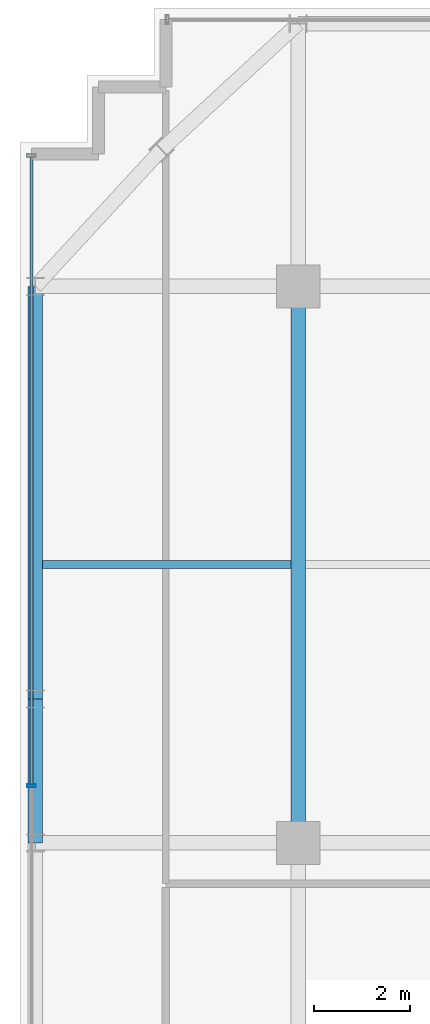
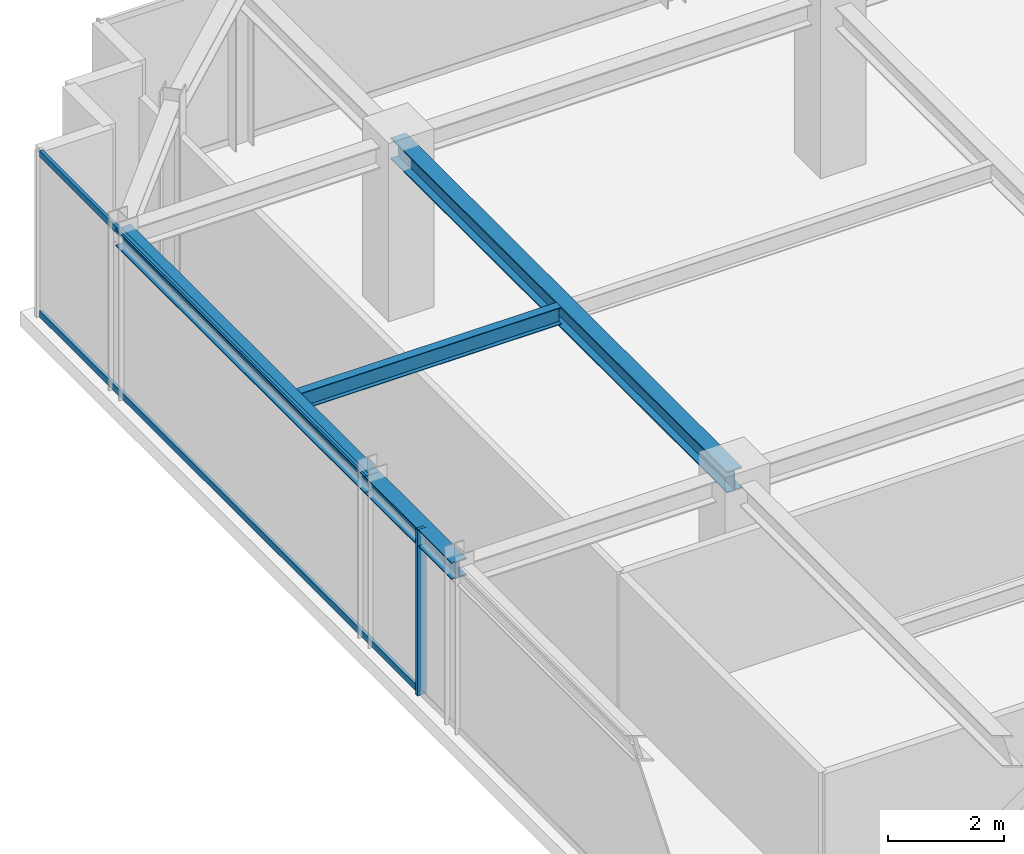
# One storey, part 15 of 33: 4 beams, 3 members, 1 element without a shape of its own.
"""IFC4 building model written with IfcOpenShell, lengths in metres."""

import ifcopenshell
import ifcopenshell.guid

model = None  # the IFC model being written
_history = None  # IfcOwnerHistory: only IFC2X3 demands one
_inside = {}  # id of a spatial element -> (the spatial element, [elements in it])
_under = {}  # id of a project, library or spatial element -> (it, [spatial elements below it])
_declared = {}  # id of a project -> (the project, [libraries it declares])
_typed = {}  # id of a type object -> (the type object, [elements of that type])
_made_of = {}  # id of a material, layer set ... -> (it, [elements and type objects made of it])


def new_model(schema):
    """Start an empty IFC model of exactly this schema.

    Asked for "IFC4X3", IfcOpenShell would pick the latest addendum, in which some entities
    have other attributes; the version numbers below select the first issue.
    IFC2X3 requires an IfcOwnerHistory on every rooted entity: one is made here for all.
    """
    global model, _history
    if schema == "IFC4X3":
        model = ifcopenshell.file(schema_version=(4, 3, 0, 0))
    else:
        model = ifcopenshell.file(schema=schema)
    _inside.clear()
    _under.clear()
    _declared.clear()
    _typed.clear()
    _made_of.clear()
    _history = None
    if model.schema == "IFC2X3":
        org = make("IfcOrganization", Name="unknown")
        user = make(
            "IfcPersonAndOrganization",
            ThePerson=make("IfcPerson", FamilyName="unknown"),
            TheOrganization=org,
        )
        app = make(
            "IfcApplication",
            ApplicationDeveloper=org,
            Version="unknown",
            ApplicationFullName="unknown",
            ApplicationIdentifier="unknown",
        )
        _history = make(
            "IfcOwnerHistory",
            OwningUser=user,
            OwningApplication=app,
            ChangeAction="ADDED",
            CreationDate=0,
        )
    return model


def make(cls, **values):
    """One entity of the class cls with the attributes given. An attribute that is None is left unset."""
    return model.create_entity(
        cls, **{name: value for name, value in values.items() if value is not None}
    )


def rooted(cls, **values):
    """An entity with a GlobalId (a new one), such as an element, a storey or a relation."""
    return make(cls, GlobalId=ifcopenshell.guid.new(), OwnerHistory=_history, **values)


def si_unit(unit_type, name, prefix=None):
    """IfcSIUnit, for example si_unit("LENGTHUNIT", "METRE", prefix="MILLI")."""
    return make("IfcSIUnit", UnitType=unit_type, Prefix=prefix, Name=name)


def assignment(units):
    """IfcUnitAssignment: the units of a project."""
    return None if units is None else make("IfcUnitAssignment", Units=units)


def point(xyz):
    """IfcCartesianPoint."""
    return None if xyz is None else make("IfcCartesianPoint", Coordinates=xyz)


def direction(xyz):
    """IfcDirection."""
    return None if xyz is None else make("IfcDirection", DirectionRatios=xyz)


def frame(location, z_axis=None, x_axis=None):
    """IfcAxis2Placement3D, a coordinate frame: its origin and axes. An axis left out is left unset."""
    return make(
        "IfcAxis2Placement3D",
        Location=point(location),
        Axis=direction(z_axis),
        RefDirection=direction(x_axis),
    )


def frame_2d(location, x_axis=None):
    """IfcAxis2Placement2D, a coordinate frame in the plane: its origin and x axis."""
    return make(
        "IfcAxis2Placement2D", Location=point(location), RefDirection=direction(x_axis)
    )


def origin():
    """The frame at (0, 0, 0) with its axes left unset."""
    return frame((0.0, 0.0, 0.0))


def origin_2d():
    """The frame at (0, 0) in the plane with its x axis left unset."""
    return frame_2d((0.0, 0.0))


def place(relative_to, where):
    """IfcLocalPlacement: puts the frame where relative to a parent placement (None: the world)."""
    return make(
        "IfcLocalPlacement", PlacementRelTo=relative_to, RelativePlacement=where
    )


def context(
    kind, dimensions, precision=None, world=None, true_north=None, identifier=None
):
    """IfcGeometricRepresentationContext, for example the 3D "Model" context."""
    return make(
        "IfcGeometricRepresentationContext",
        ContextIdentifier=identifier,
        ContextType=kind,
        CoordinateSpaceDimension=dimensions,
        Precision=precision,
        WorldCoordinateSystem=world,
        TrueNorth=true_north,
    )


def subcontext(parent, identifier, kind, view, scale=None):
    """IfcGeometricRepresentationSubContext, for example "Body" below "Model"."""
    return make(
        "IfcGeometricRepresentationSubContext",
        ContextIdentifier=identifier,
        ContextType=kind,
        ParentContext=parent,
        TargetScale=scale,
        TargetView=view,
    )


def project(units=None, contexts=None):
    """IfcProject with its units and contexts."""
    return rooted(
        "IfcProject",
        Name="project",
        RepresentationContexts=contexts,
        UnitsInContext=assignment(units),
    )


def spatial(cls, under=None, at=None, **own):
    """A site, building, storey or space (cls), placed at a placement, below another one or the project."""
    s = rooted(cls, ObjectPlacement=at, **own)
    if under is not None:
        _under.setdefault(under.id(), (under, []))[1].append(s)
    return s


def profile(cls, at=None, kind="AREA", **sizes):
    """A parametric profile (cls). Its sizes go by their IFC names, for example OverallWidth=200.0."""
    return make(cls, ProfileType=kind, Position=at, **sizes)


def hollow_rectangle(**sizes):
    """IfcRectangleHollowProfileDef."""
    return profile("IfcRectangleHollowProfileDef", **sizes)


def i_section(**sizes):
    """IfcIShapeProfileDef."""
    return profile("IfcIShapeProfileDef", **sizes)


def extrude(swept, where, along, depth):
    """IfcExtrudedAreaSolid: the profile swept, set in the frame where, extruded along a direction by depth."""
    return make(
        "IfcExtrudedAreaSolid",
        SweptArea=swept,
        Position=where,
        ExtrudedDirection=direction(along),
        Depth=depth,
    )


def shape(context_of_items, identifier, shape_type, items):
    """IfcShapeRepresentation: the items that make up one representation, for example the "Body"."""
    return make(
        "IfcShapeRepresentation",
        ContextOfItems=context_of_items,
        RepresentationIdentifier=identifier,
        RepresentationType=shape_type,
        Items=items,
    )


def source(mapping_origin, context_of_items, identifier, shape_type, items):
    """IfcRepresentationMap: a shape defined once, which mapped items show again and again."""
    return make(
        "IfcRepresentationMap",
        MappingOrigin=mapping_origin,
        MappedRepresentation=shape(context_of_items, identifier, shape_type, items),
    )


def transform(
    local_origin,
    x_axis=None,
    y_axis=None,
    z_axis=None,
    scale=None,
    scale2=None,
    scale3=None,
    uniform=True,
):
    """IfcCartesianTransformationOperator3D, or its non-uniform kind. x_axis, y_axis, z_axis: its Axis1, 2, 3."""
    if uniform:
        return make(
            "IfcCartesianTransformationOperator3D",
            Axis1=direction(x_axis),
            Axis2=direction(y_axis),
            LocalOrigin=point(local_origin),
            Scale=scale,
            Axis3=direction(z_axis),
        )
    return make(
        "IfcCartesianTransformationOperator3DnonUniform",
        Axis1=direction(x_axis),
        Axis2=direction(y_axis),
        LocalOrigin=point(local_origin),
        Scale=scale,
        Axis3=direction(z_axis),
        Scale2=scale2,
        Scale3=scale3,
    )


def mapped(mapping_source, mapping_target):
    """IfcMappedItem: shows the shape of a source again, moved by a transform."""
    return make(
        "IfcMappedItem", MappingSource=mapping_source, MappingTarget=mapping_target
    )


def material(Name=None, Category=None):
    """IfcMaterial."""
    return make("IfcMaterial", Name=Name, Category=Category)


def material_profile(
    of_material, cross_section, Name=None, Category=None, Priority=None
):
    """IfcMaterialProfile: a cross section and its material."""
    return make(
        "IfcMaterialProfile",
        Name=Name,
        Material=of_material,
        Profile=cross_section,
        Priority=Priority,
        Category=Category,
    )


def profile_set(profiles, Name=None, composite=None):
    """IfcMaterialProfileSet."""
    return make(
        "IfcMaterialProfileSet",
        Name=Name,
        MaterialProfiles=profiles,
        CompositeProfile=composite,
    )


def made_of(thing, what):
    """Note that an element or type object is made of a material, layer set ...; save() writes the relation."""
    if what is not None:
        _made_of.setdefault(what.id(), (what, []))[1].append(thing)
    return thing


def type_object(cls, material=None, **own):
    """A type object (cls), such as IfcWallType, which elements share."""
    return made_of(rooted(cls, **own), material)


def element(
    cls,
    number,
    at=None,
    inside=None,
    cuts=None,
    type_object=None,
    material=None,
    context=None,
    identifier="Body",
    shape_type=None,
    held_by="IfcProductDefinitionShape",
    body=None,
    shapes=None,
    **own,
):
    """One element of the class cls, such as IfcWall. Its Tag is "e" and its number.

    at: its placement. inside: the storey or other place that contains it. cuts: it is an
    opening in that element (IfcRelVoidsElement). A single representation is given by context,
    identifier, shape_type and body (its items); several are given by shapes. held_by: the class
    of the entity that holds the representations. save() writes the other relations.
    """
    e = rooted(cls, Tag="e%d" % number, ObjectPlacement=at, **own)
    if body is not None:
        shapes = [shape(context, identifier, shape_type, body)]
    if shapes is not None:
        e.Representation = make(held_by, Representations=shapes)
    if inside is not None:
        _inside.setdefault(inside.id(), (inside, []))[1].append(e)
    if cuts is not None:
        rooted(
            "IfcRelVoidsElement", RelatingBuildingElement=cuts, RelatedOpeningElement=e
        )
    if type_object is not None:
        _typed.setdefault(type_object.id(), (type_object, []))[1].append(e)
    return made_of(e, material)


def aggregate(whole, parts):
    """IfcRelAggregates: a whole, such as a stair, and the parts it consists of."""
    return rooted("IfcRelAggregates", RelatingObject=whole, RelatedObjects=parts)


def save(model, path):
    """Write the relations noted so far, then the file.

    IfcRelAggregates (storeys below a building ...), IfcRelContainedInSpatialStructure (elements
    in a storey), IfcRelDefinesByType, IfcRelAssociatesMaterial and IfcRelDeclares: one each for
    every whole, place, type object, material and project.
    """
    for whole, parts in _under.values():
        aggregate(whole, parts)
    for where, things in _inside.values():
        rooted(
            "IfcRelContainedInSpatialStructure",
            RelatedElements=things,
            RelatingStructure=where,
        )
    for kind, things in _typed.values():
        rooted("IfcRelDefinesByType", RelatedObjects=things, RelatingType=kind)
    for what, things in _made_of.values():
        rooted("IfcRelAssociatesMaterial", RelatedObjects=things, RelatingMaterial=what)
    for by, libraries in _declared.values():
        rooted("IfcRelDeclares", RelatingContext=by, RelatedDefinitions=libraries)
    model.write(path)


model = new_model("IFC4")

# Units and contexts
model_context = context("Model", 3, precision=1e-05, world=origin(), true_north=direction((0.0, 1.0)))
body_context = subcontext(model_context, "Body", "Model", "MODEL_VIEW")
ifc_project = project(units=[si_unit("LENGTHUNIT", "METRE"), si_unit("AREAUNIT", "SQUARE_METRE"), si_unit("VOLUMEUNIT", "CUBIC_METRE"), si_unit("PLANEANGLEUNIT", "RADIAN"), si_unit("MASSUNIT", "GRAM", prefix="KILO")], contexts=[model_context])

# Site, building, storey
site_placement = place(None, origin())
site = spatial("IfcSite", under=ifc_project, at=site_placement, CompositionType="ELEMENT")
building_placement = place(site_placement, origin())
building = spatial("IfcBuilding", under=site, at=building_placement, Name="Nahalor Promenade Grand Hotel", CompositionType="ELEMENT")
storey_placement = place(building_placement, frame((0.0, 0.0, 315.75)))
storey = spatial("IfcBuildingStorey", under=building, at=storey_placement, Name="L81", CompositionType="ELEMENT", Elevation=315.75)

# Beams
ifc_material_1 = material(Name="Steel S355JR", Category="steel")
ifc_material_profile_1 = material_profile(ifc_material_1, i_section(OverallWidth=0.3, OverallDepth=0.45, WebThickness=0.014, FlangeThickness=0.026, at=origin_2d()), Name="HEB 450")
ifc_profile_set_1 = profile_set([ifc_material_profile_1], Name="Steel S355JR")
beam_type_1 = type_object("IfcBeamType", Name="Beam-Girder-HEB450", PredefinedType="BEAM", material=ifc_profile_set_1)
shared_shape_1 = source(origin(), body_context, "Body", "SweptSolid", [
    extrude(i_section(OverallWidth=0.3, OverallDepth=0.45, WebThickness=0.014, FlangeThickness=0.026, at=origin_2d()), origin(), (0.0, 0.0, 1.0), 11.60009765625),
])
beam_1_placement = place(storey_placement, frame((-17.0, 5.39990234375, 3.27490234375), z_axis=(0.0, 1.0, 0.0), x_axis=(-1.0, 0.0, 0.0)))
element("IfcBeam", 1, at=beam_1_placement, inside=storey, type_object=beam_type_1, Name="BM-L81-GY-0-3", PredefinedType="BEAM", context=body_context, shape_type="MappedRepresentation", body=[
    mapped(shared_shape_1, transform((0.0, 0.0, 0.0), scale=1.0)),
])
ifc_material_profile_2 = material_profile(ifc_material_1, i_section(OverallWidth=0.3, OverallDepth=0.36, WebThickness=0.0125, FlangeThickness=0.0225, at=origin_2d()), Name="HEB 360")
ifc_profile_set_2 = profile_set([ifc_material_profile_2], Name="Steel S355JR")
beam_type_2 = type_object("IfcBeamType", Name="Beam-Spandrel-HEB360", PredefinedType="SPANDREL", material=ifc_profile_set_2)
shared_shape_2 = source(origin(), body_context, "Body", "SweptSolid", [
    extrude(i_section(OverallWidth=0.3, OverallDepth=0.36, WebThickness=0.0125, FlangeThickness=0.0225, at=origin_2d()), origin(), (0.0, 0.0, 1.0), 8.60009765625),
])
beam_2_placement = place(storey_placement, frame((-22.47998046875, 8.39990234375, 3.320068359375), z_axis=(0.0, 1.0, 0.0), x_axis=(-1.0, 0.0, 0.0)))
element("IfcBeam", 2, at=beam_2_placement, inside=storey, type_object=beam_type_2, Name="BM-L81-SP-W-4", PredefinedType="SPANDREL", context=body_context, shape_type="MappedRepresentation", body=[
    mapped(shared_shape_2, transform((0.0, 0.0, 0.0), scale=1.0)),
])
shared_shape_3 = source(origin(), body_context, "Body", "SweptSolid", [
    extrude(i_section(OverallWidth=0.3, OverallDepth=0.36, WebThickness=0.0125, FlangeThickness=0.0225, at=origin_2d()), origin(), (0.0, 0.0, 1.0), 3.0),
])
beam_3_placement = place(storey_placement, frame((-22.47998046875, 5.39990234375, 3.320068359375), z_axis=(0.0, 1.0, 0.0), x_axis=(-1.0, 0.0, 0.0)))
element("IfcBeam", 3, at=beam_3_placement, inside=storey, type_object=beam_type_2, Name="BM-L81-SP-W-3", PredefinedType="SPANDREL", context=body_context, shape_type="MappedRepresentation", body=[
    mapped(shared_shape_3, transform((0.0, 0.0, 0.0), scale=1.0)),
])
ifc_material_profile_3 = material_profile(ifc_material_1, i_section(OverallWidth=0.17, OverallDepth=0.36, WebThickness=0.008, FlangeThickness=0.0127, at=origin_2d()), Name="IPE 360")
ifc_profile_set_3 = profile_set([ifc_material_profile_3], Name="Steel S355JR")
beam_type_3 = type_object("IfcBeamType", Name="Beam-Joist-IPE360", PredefinedType="JOIST", material=ifc_profile_set_3)
shared_shape_4 = source(origin(), body_context, "Body", "SweptSolid", [
    extrude(i_section(OverallWidth=0.17, OverallDepth=0.36, WebThickness=0.008, FlangeThickness=0.0127, at=origin_2d()), origin(), (0.0, 0.0, 1.0), 5.18017578125),
])
beam_4_placement = place(storey_placement, frame((-22.330078125, 11.199951171875, 3.320068359375), z_axis=(1.0, 0.0, 0.0), x_axis=(0.0, 1.0, 0.0)))
element("IfcBeam", 4, at=beam_4_placement, inside=storey, type_object=beam_type_3, Name="BM-L81-JSW-1-0", PredefinedType="JOIST", context=body_context, shape_type="MappedRepresentation", body=[
    mapped(shared_shape_4, transform((0.0, 0.0, 0.0), scale=1.0)),
])

# Curtain wall, members
ifc_material_2 = material(Name="Anodised Bronze Aluminium EN AW-6063 T6", Category="aluminium")
curtain_wall_type = type_object("IfcCurtainWallType", Name="CW2 Typical Hotel Flush Bronze Unitised Curtain Wall", PredefinedType="USERDEFINED", material=ifc_material_2)
curtain_wall_placement = place(storey_placement, origin())
curtain_wall = element("IfcCurtainWall", 5, at=curtain_wall_placement, inside=storey, type_object=curtain_wall_type, Name="L81 Curtain Wall CW-L81-W-1", ObjectType="UNITISED_CURTAIN_WALL", PredefinedType="USERDEFINED")
ifc_material_profile_4 = material_profile(ifc_material_2, hollow_rectangle(XDim=0.065, YDim=0.13, WallThickness=0.004, at=origin_2d()), Name="CWT 65x130x4")
ifc_profile_set_4 = profile_set([ifc_material_profile_4], Name="Anodised Bronze Aluminium EN AW-6063 T6")
member_type_1 = type_object("IfcMemberType", Name="CWT2 Typical Bronze Transom 65x130", PredefinedType="USERDEFINED", material=ifc_profile_set_4)
shared_shape_5 = source(origin(), body_context, "Body", "SweptSolid", [
    extrude(hollow_rectangle(XDim=0.065, YDim=0.13, WallThickness=0.004, at=origin_2d()), origin(), (0.0, 0.0, 1.0), 13.075927734375),
])
member_1_placement = place(storey_placement, frame((-22.56005859375, 6.619140625, 0.06494140625), z_axis=(0.0, 1.0, 0.0), x_axis=(-1.0, 0.0, 0.0)))
member_1 = element("IfcMember", 6, at=member_1_placement, type_object=member_type_1, Name="CW-L81-W-1 Transom 2-0", ObjectType="TRANSOM", PredefinedType="USERDEFINED", context=body_context, shape_type="MappedRepresentation", body=[
    mapped(shared_shape_5, transform((0.0, 0.0, 0.0), scale=1.0)),
])
member_2_placement = place(storey_placement, frame((-22.56005859375, 6.619140625, 3.43505859375), z_axis=(0.0, 1.0, 0.0), x_axis=(-1.0, 0.0, 0.0)))
member_2 = element("IfcMember", 7, at=member_2_placement, type_object=member_type_1, Name="CW-L81-W-1 Transom 2-1", ObjectType="TRANSOM", PredefinedType="USERDEFINED", context=body_context, shape_type="MappedRepresentation", body=[
    mapped(shared_shape_5, transform((0.0, 0.0, 0.0), scale=1.0)),
])
ifc_material_profile_5 = material_profile(ifc_material_2, hollow_rectangle(XDim=0.065, YDim=0.18, WallThickness=0.004, at=origin_2d()), Name="CWM 65x180x4")
ifc_profile_set_5 = profile_set([ifc_material_profile_5], Name="Anodised Bronze Aluminium EN AW-6063 T6")
member_type_2 = type_object("IfcMemberType", Name="CWM2 Typical Bronze Mullion 65x180", PredefinedType="MULLION", material=ifc_profile_set_5)
shared_shape_6 = source(origin(), body_context, "Body", "SweptSolid", [
    extrude(hollow_rectangle(XDim=0.065, YDim=0.18, WallThickness=0.004, at=origin_2d()), origin(), (0.0, 0.0, 1.0), 3.5),
])
member_3_placement = place(storey_placement, frame((-22.56005859375, 6.586669921875, 0.0), z_axis=(0.0, 0.0, 1.0), x_axis=(0.0, 1.0, 0.0)))
member_3 = element("IfcMember", 8, at=member_3_placement, type_object=member_type_2, Name="CW-L81-W-1 Mullion 2", PredefinedType="MULLION", context=body_context, shape_type="MappedRepresentation", body=[
    mapped(shared_shape_6, transform((0.0, 0.0, 0.0), scale=1.0)),
])
aggregate(curtain_wall, [member_3, member_1, member_2])

save(model, "model.ifc")
